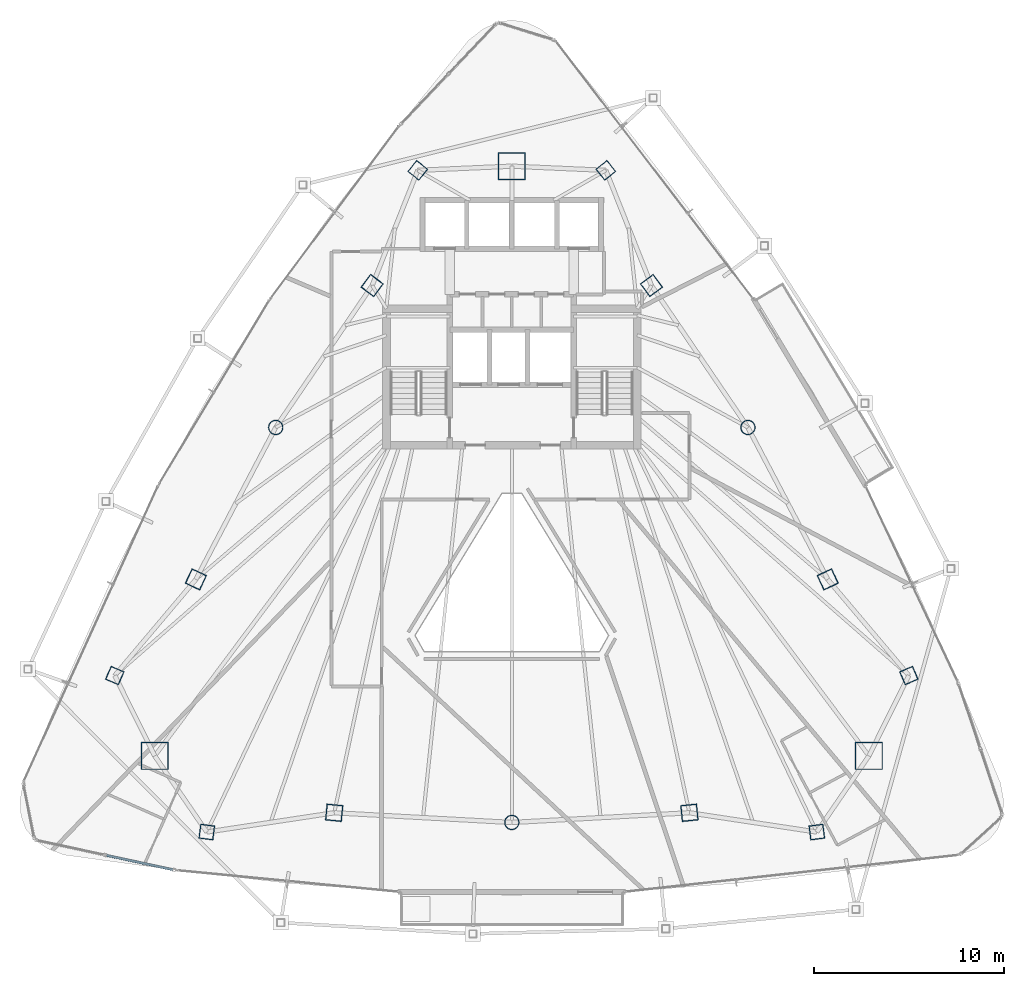
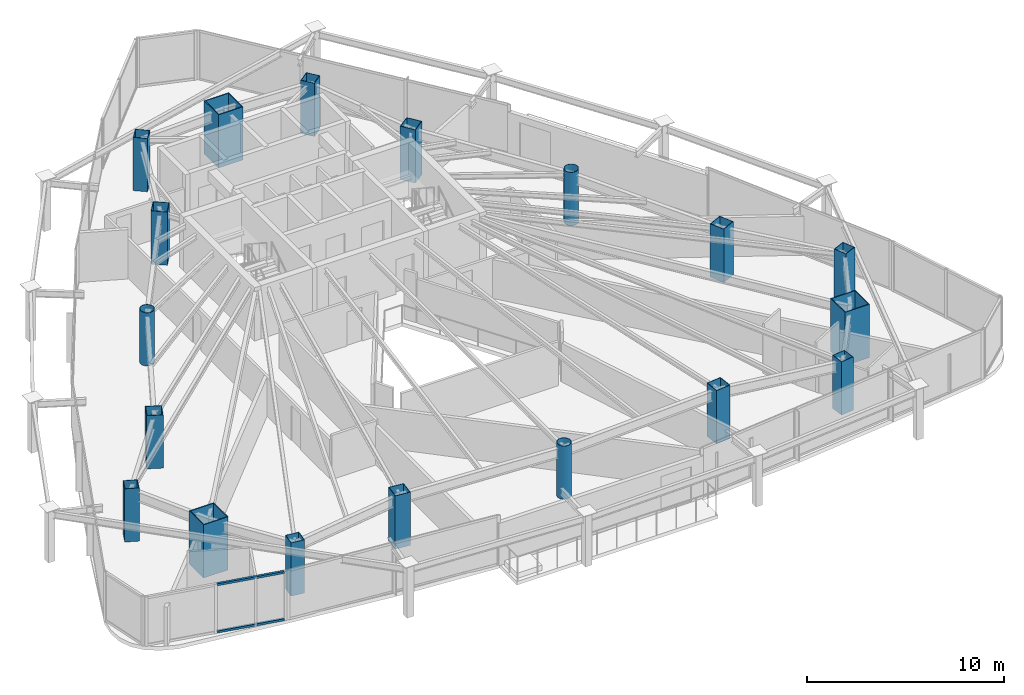
# One storey, part 1 of 31: 18 columns, 2 members, 1 element without a shape of its own.
"""IFC4 building model written with IfcOpenShell, lengths in metres."""

import ifcopenshell
import ifcopenshell.guid

model = None  # the IFC model being written
_history = None  # IfcOwnerHistory: only IFC2X3 demands one
_inside = {}  # id of a spatial element -> (the spatial element, [elements in it])
_under = {}  # id of a project, library or spatial element -> (it, [spatial elements below it])
_declared = {}  # id of a project -> (the project, [libraries it declares])
_typed = {}  # id of a type object -> (the type object, [elements of that type])
_made_of = {}  # id of a material, layer set ... -> (it, [elements and type objects made of it])


def new_model(schema):
    """Start an empty IFC model of exactly this schema.

    Asked for "IFC4X3", IfcOpenShell would pick the latest addendum, in which some entities
    have other attributes; the version numbers below select the first issue.
    IFC2X3 requires an IfcOwnerHistory on every rooted entity: one is made here for all.
    """
    global model, _history
    if schema == "IFC4X3":
        model = ifcopenshell.file(schema_version=(4, 3, 0, 0))
    else:
        model = ifcopenshell.file(schema=schema)
    _inside.clear()
    _under.clear()
    _declared.clear()
    _typed.clear()
    _made_of.clear()
    _history = None
    if model.schema == "IFC2X3":
        org = make("IfcOrganization", Name="unknown")
        user = make(
            "IfcPersonAndOrganization",
            ThePerson=make("IfcPerson", FamilyName="unknown"),
            TheOrganization=org,
        )
        app = make(
            "IfcApplication",
            ApplicationDeveloper=org,
            Version="unknown",
            ApplicationFullName="unknown",
            ApplicationIdentifier="unknown",
        )
        _history = make(
            "IfcOwnerHistory",
            OwningUser=user,
            OwningApplication=app,
            ChangeAction="ADDED",
            CreationDate=0,
        )
    return model


def make(cls, **values):
    """One entity of the class cls with the attributes given. An attribute that is None is left unset."""
    return model.create_entity(
        cls, **{name: value for name, value in values.items() if value is not None}
    )


def rooted(cls, **values):
    """An entity with a GlobalId (a new one), such as an element, a storey or a relation."""
    return make(cls, GlobalId=ifcopenshell.guid.new(), OwnerHistory=_history, **values)


def si_unit(unit_type, name, prefix=None):
    """IfcSIUnit, for example si_unit("LENGTHUNIT", "METRE", prefix="MILLI")."""
    return make("IfcSIUnit", UnitType=unit_type, Prefix=prefix, Name=name)


def assignment(units):
    """IfcUnitAssignment: the units of a project."""
    return None if units is None else make("IfcUnitAssignment", Units=units)


def point(xyz):
    """IfcCartesianPoint."""
    return None if xyz is None else make("IfcCartesianPoint", Coordinates=xyz)


def direction(xyz):
    """IfcDirection."""
    return None if xyz is None else make("IfcDirection", DirectionRatios=xyz)


def frame(location, z_axis=None, x_axis=None):
    """IfcAxis2Placement3D, a coordinate frame: its origin and axes. An axis left out is left unset."""
    return make(
        "IfcAxis2Placement3D",
        Location=point(location),
        Axis=direction(z_axis),
        RefDirection=direction(x_axis),
    )


def frame_2d(location, x_axis=None):
    """IfcAxis2Placement2D, a coordinate frame in the plane: its origin and x axis."""
    return make(
        "IfcAxis2Placement2D", Location=point(location), RefDirection=direction(x_axis)
    )


def origin():
    """The frame at (0, 0, 0) with its axes left unset."""
    return frame((0.0, 0.0, 0.0))


def origin_2d():
    """The frame at (0, 0) in the plane with its x axis left unset."""
    return frame_2d((0.0, 0.0))


def place(relative_to, where):
    """IfcLocalPlacement: puts the frame where relative to a parent placement (None: the world)."""
    return make(
        "IfcLocalPlacement", PlacementRelTo=relative_to, RelativePlacement=where
    )


def context(
    kind, dimensions, precision=None, world=None, true_north=None, identifier=None
):
    """IfcGeometricRepresentationContext, for example the 3D "Model" context."""
    return make(
        "IfcGeometricRepresentationContext",
        ContextIdentifier=identifier,
        ContextType=kind,
        CoordinateSpaceDimension=dimensions,
        Precision=precision,
        WorldCoordinateSystem=world,
        TrueNorth=true_north,
    )


def subcontext(parent, identifier, kind, view, scale=None):
    """IfcGeometricRepresentationSubContext, for example "Body" below "Model"."""
    return make(
        "IfcGeometricRepresentationSubContext",
        ContextIdentifier=identifier,
        ContextType=kind,
        ParentContext=parent,
        TargetScale=scale,
        TargetView=view,
    )


def project(units=None, contexts=None):
    """IfcProject with its units and contexts."""
    return rooted(
        "IfcProject",
        Name="project",
        RepresentationContexts=contexts,
        UnitsInContext=assignment(units),
    )


def spatial(cls, under=None, at=None, **own):
    """A site, building, storey or space (cls), placed at a placement, below another one or the project."""
    s = rooted(cls, ObjectPlacement=at, **own)
    if under is not None:
        _under.setdefault(under.id(), (under, []))[1].append(s)
    return s


def profile(cls, at=None, kind="AREA", **sizes):
    """A parametric profile (cls). Its sizes go by their IFC names, for example OverallWidth=200.0."""
    return make(cls, ProfileType=kind, Position=at, **sizes)


def hollow_rectangle(**sizes):
    """IfcRectangleHollowProfileDef."""
    return profile("IfcRectangleHollowProfileDef", **sizes)


def hollow_circle(**sizes):
    """IfcCircleHollowProfileDef."""
    return profile("IfcCircleHollowProfileDef", **sizes)


def extrude(swept, where, along, depth):
    """IfcExtrudedAreaSolid: the profile swept, set in the frame where, extruded along a direction by depth."""
    return make(
        "IfcExtrudedAreaSolid",
        SweptArea=swept,
        Position=where,
        ExtrudedDirection=direction(along),
        Depth=depth,
    )


def shape(context_of_items, identifier, shape_type, items):
    """IfcShapeRepresentation: the items that make up one representation, for example the "Body"."""
    return make(
        "IfcShapeRepresentation",
        ContextOfItems=context_of_items,
        RepresentationIdentifier=identifier,
        RepresentationType=shape_type,
        Items=items,
    )


def material(Name=None, Category=None):
    """IfcMaterial."""
    return make("IfcMaterial", Name=Name, Category=Category)


def layer(
    of_material, thickness, ventilated=None, Name=None, Category=None, Priority=None
):
    """IfcMaterialLayer: one layer of a wall or slab, of a material (None: an air gap)."""
    return make(
        "IfcMaterialLayer",
        Material=of_material,
        LayerThickness=thickness,
        IsVentilated=ventilated,
        Name=Name,
        Category=Category,
        Priority=Priority,
    )


def layer_set(layers, Name=None):
    """IfcMaterialLayerSet."""
    return make("IfcMaterialLayerSet", MaterialLayers=layers, LayerSetName=Name)


def material_profile(
    of_material, cross_section, Name=None, Category=None, Priority=None
):
    """IfcMaterialProfile: a cross section and its material."""
    return make(
        "IfcMaterialProfile",
        Name=Name,
        Material=of_material,
        Profile=cross_section,
        Priority=Priority,
        Category=Category,
    )


def profile_set(profiles, Name=None, composite=None):
    """IfcMaterialProfileSet."""
    return make(
        "IfcMaterialProfileSet",
        Name=Name,
        MaterialProfiles=profiles,
        CompositeProfile=composite,
    )


def made_of(thing, what):
    """Note that an element or type object is made of a material, layer set ...; save() writes the relation."""
    if what is not None:
        _made_of.setdefault(what.id(), (what, []))[1].append(thing)
    return thing


def type_object(cls, material=None, **own):
    """A type object (cls), such as IfcWallType, which elements share."""
    return made_of(rooted(cls, **own), material)


def element(
    cls,
    number,
    at=None,
    inside=None,
    cuts=None,
    type_object=None,
    material=None,
    context=None,
    identifier="Body",
    shape_type=None,
    held_by="IfcProductDefinitionShape",
    body=None,
    shapes=None,
    **own,
):
    """One element of the class cls, such as IfcWall. Its Tag is "e" and its number.

    at: its placement. inside: the storey or other place that contains it. cuts: it is an
    opening in that element (IfcRelVoidsElement). A single representation is given by context,
    identifier, shape_type and body (its items); several are given by shapes. held_by: the class
    of the entity that holds the representations. save() writes the other relations.
    """
    e = rooted(cls, Tag="e%d" % number, ObjectPlacement=at, **own)
    if body is not None:
        shapes = [shape(context, identifier, shape_type, body)]
    if shapes is not None:
        e.Representation = make(held_by, Representations=shapes)
    if inside is not None:
        _inside.setdefault(inside.id(), (inside, []))[1].append(e)
    if cuts is not None:
        rooted(
            "IfcRelVoidsElement", RelatingBuildingElement=cuts, RelatedOpeningElement=e
        )
    if type_object is not None:
        _typed.setdefault(type_object.id(), (type_object, []))[1].append(e)
    return made_of(e, material)


def aggregate(whole, parts):
    """IfcRelAggregates: a whole, such as a stair, and the parts it consists of."""
    return rooted("IfcRelAggregates", RelatingObject=whole, RelatedObjects=parts)


def save(model, path):
    """Write the relations noted so far, then the file.

    IfcRelAggregates (storeys below a building ...), IfcRelContainedInSpatialStructure (elements
    in a storey), IfcRelDefinesByType, IfcRelAssociatesMaterial and IfcRelDeclares: one each for
    every whole, place, type object, material and project.
    """
    for whole, parts in _under.values():
        aggregate(whole, parts)
    for where, things in _inside.values():
        rooted(
            "IfcRelContainedInSpatialStructure",
            RelatedElements=things,
            RelatingStructure=where,
        )
    for kind, things in _typed.values():
        rooted("IfcRelDefinesByType", RelatedObjects=things, RelatingType=kind)
    for what, things in _made_of.values():
        rooted("IfcRelAssociatesMaterial", RelatedObjects=things, RelatingMaterial=what)
    for by, libraries in _declared.values():
        rooted("IfcRelDeclares", RelatingContext=by, RelatedDefinitions=libraries)
    model.write(path)


model = new_model("IFC4")

# Units and contexts
model_context = context("Model", 3, precision=1e-05, world=origin(), true_north=direction((0.0, 1.0)))
body_context = subcontext(model_context, "Body", "Model", "MODEL_VIEW")
ifc_project = project(units=[si_unit("LENGTHUNIT", "METRE"), si_unit("AREAUNIT", "SQUARE_METRE"), si_unit("VOLUMEUNIT", "CUBIC_METRE"), si_unit("PLANEANGLEUNIT", "RADIAN"), si_unit("MASSUNIT", "GRAM", prefix="KILO")], contexts=[model_context])

# Site, building, storey
site_placement = place(None, origin())
site = spatial("IfcSite", under=ifc_project, at=site_placement, CompositionType="ELEMENT")
building_placement = place(site_placement, origin())
building = spatial("IfcBuilding", under=site, at=building_placement, Name="Orvanel Arch Residences", CompositionType="ELEMENT")
storey_placement = place(building_placement, frame((0.0, 0.0, 133.10009765625)))
storey = spatial("IfcBuildingStorey", under=building, at=storey_placement, Name="L37", CompositionType="ELEMENT", Elevation=133.10009765625)

# Columns
ifc_material_1 = material(Name="Structural steel AS/NZS 1163 C450L0 (Grade 450)", Category="steel")
ifc_material_profile_1 = material_profile(ifc_material_1, hollow_circle(Radius=0.381103515625, WallThickness=0.02197265625, at=origin_2d()), Name="CHS762x22")
ifc_profile_set_1 = profile_set([ifc_material_profile_1], Name="Structural steel AS/NZS 1163 C450L0 (Grade 450)")
column_type_1 = type_object("IfcColumnType", Name="CC-762", PredefinedType="COLUMN", material=ifc_profile_set_1)
for number, where, z_axis, x_axis, name in (
    (1, (20.569091796875, 27.64111328125, 0.0), (0.0, 0.0, 1.0), (1.0, 0.0, 0.0), "L37 High-Rise Tube Column 02"),
    (2, (33.0, 6.843994140625, 0.0), (0.0, 0.0, 1.0), (1.0, 0.0, 0.0), "L37 High-Rise Tube Column 05"),
    (3, (45.430908203125, 27.64111328125, 0.0), (0.0, 0.0, 1.0), (1.0, 0.0, 0.0), "L37 High-Rise Tube Column 08"),
):
    element("IfcColumn", number, at=place(storey_placement, frame(where, z_axis=z_axis, x_axis=x_axis)), inside=storey, type_object=column_type_1, Name=name, PredefinedType="COLUMN", context=body_context, shape_type="SweptSolid", body=[
        extrude(hollow_circle(Radius=0.381103515625, WallThickness=0.02197265625, at=origin_2d()), origin(), (0.0, 0.0, 1.0), 3.2998046875),
    ])
ifc_material_2 = material(Name="Structural steel AS/NZS 3678 Grade 450", Category="steel")
ifc_material_profile_2 = material_profile(ifc_material_2, hollow_rectangle(XDim=1.449951171875, YDim=1.449951171875, WallThickness=0.044921875, at=origin_2d()), Name="BOX1450x1450x45")
ifc_profile_set_2 = profile_set([ifc_material_profile_2], Name="Structural steel AS/NZS 3678 Grade 450")
column_type_2 = type_object("IfcColumnType", Name="MC-1450", PredefinedType="COLUMN", material=ifc_profile_set_2)
for number, where, z_axis, x_axis, name in (
    (4, (33.0, 41.39794921875, 0.0), (0.0, 0.0, 1.0), (1.0, 0.0, 0.0), "L37 Corner Mega-Column 1"),
    (5, (14.198974609375, 10.35107421875, 0.0), (0.0, 0.0, 1.0), (1.0, 0.0, 0.0), "L37 Corner Mega-Column 2"),
    (6, (51.801025390625, 10.35107421875, 0.0), (0.0, 0.0, 1.0), (1.0, 0.0, 0.0), "L37 Corner Mega-Column 3"),
):
    element("IfcColumn", number, at=place(storey_placement, frame(where, z_axis=z_axis, x_axis=x_axis)), inside=storey, type_object=column_type_2, Name=name, PredefinedType="COLUMN", context=body_context, shape_type="SweptSolid", body=[
        extrude(hollow_rectangle(XDim=1.449951171875, YDim=1.449951171875, WallThickness=0.044921875, at=origin_2d()), origin(), (0.0, 0.0, 1.0), 3.2998046875),
    ])
ifc_material_3 = material(Name="Structural steel AS/NZS 3678 Grade 350", Category="steel")
ifc_material_profile_3 = material_profile(ifc_material_3, hollow_rectangle(XDim=0.75, YDim=0.75, WallThickness=0.02490234375, at=origin_2d()), Name="BOX750x750x25")
ifc_profile_set_3 = profile_set([ifc_material_profile_3], Name="Structural steel AS/NZS 3678 Grade 350")
column_type_3 = type_object("IfcColumnType", Name="TC-750", PredefinedType="COLUMN", material=ifc_profile_set_3)
for number, where, z_axis, x_axis, name in (
    (7, (28.050048828125, 41.177978515625, 0.0), (0.0, 0.0, 1.0), (0.623879596709, 0.781520472419, 0.0), "L37 Mid-Rise Buttress Tube Column 01"),
    (8, (12.094970703125, 14.580078125, 0.0), (0.0, 0.0, 1.0), (0.397147890635, 0.917754625684, 0.0), "L37 Mid-Rise Buttress Tube Column 02"),
    (9, (16.94091796875, 6.339111328125, 0.0), (0.0, 0.0, 1.0), (-0.99189444259, 0.127064608601, 0.0), "L37 Mid-Rise Buttress Tube Column 03"),
    (10, (49.05908203125, 6.339111328125, 0.0), (0.0, 0.0, 1.0), (0.99189444259, 0.127064608601, 0.0), "L37 Mid-Rise Buttress Tube Column 04"),
    (11, (53.905029296875, 14.580078125, 0.0), (0.0, 0.0, 1.0), (-0.397147890635, 0.917754625684, 0.0), "L37 Mid-Rise Buttress Tube Column 05"),
    (12, (37.949951171875, 41.177978515625, 0.0), (0.0, 0.0, 1.0), (-0.623879596709, 0.781520472419, 0.0), "L37 Mid-Rise Buttress Tube Column 06"),
):
    element("IfcColumn", number, at=place(storey_placement, frame(where, z_axis=z_axis, x_axis=x_axis)), inside=storey, type_object=column_type_3, Name=name, PredefinedType="COLUMN", context=body_context, shape_type="SweptSolid", body=[
        extrude(hollow_rectangle(XDim=0.75, YDim=0.75, WallThickness=0.02490234375, at=origin_2d()), origin(), (0.0, 0.0, 1.0), 3.2998046875),
    ])
ifc_material_profile_4 = material_profile(ifc_material_3, hollow_rectangle(XDim=0.85009765625, YDim=0.85009765625, WallThickness=0.028076171875, at=origin_2d()), Name="BOX850x850x28")
ifc_profile_set_4 = profile_set([ifc_material_profile_4], Name="Structural steel AS/NZS 3678 Grade 350")
column_type_4 = type_object("IfcColumnType", Name="TC-850", PredefinedType="COLUMN", material=ifc_profile_set_4)
for number, where, z_axis, x_axis, name in (
    (13, (25.64794921875, 35.113037109375, 0.0), (0.0, 0.0, 1.0), (0.600420225326, 0.799684658487, 0.0), "L37 High-Rise Tube Column 01"),
    (14, (16.366943359375, 19.64208984375, 0.0), (0.0, 0.0, 1.0), (0.422618261741, 0.906307787037, 0.0), "L37 High-Rise Tube Column 03"),
    (15, (23.64892578125, 7.35498046875, 0.0), (0.0, 0.0, 1.0), (-0.994880708829, 0.101056297183, 0.0), "L37 High-Rise Tube Column 04"),
    (16, (42.35107421875, 7.35498046875, 0.0), (0.0, 0.0, 1.0), (0.994880708829, 0.101056297183, 0.0), "L37 High-Rise Tube Column 06"),
    (17, (49.633056640625, 19.64208984375, 0.0), (0.0, 0.0, 1.0), (-0.422618261741, 0.906307787037, 0.0), "L37 High-Rise Tube Column 07"),
    (18, (40.35205078125, 35.113037109375, 0.0), (0.0, 0.0, 1.0), (-0.600420225326, 0.799684658487, 0.0), "L37 High-Rise Tube Column 09"),
):
    element("IfcColumn", number, at=place(storey_placement, frame(where, z_axis=z_axis, x_axis=x_axis)), inside=storey, type_object=column_type_4, Name=name, PredefinedType="COLUMN", context=body_context, shape_type="SweptSolid", body=[
        extrude(hollow_rectangle(XDim=0.85009765625, YDim=0.85009765625, WallThickness=0.028076171875, at=origin_2d()), origin(), (0.0, 0.0, 1.0), 3.2998046875),
    ])

# Curtain wall, members
ifc_material_4 = material(Name="Bronze-anodised aluminium AA6063-T6", Category="aluminium")
ifc_layer = layer(ifc_material_4, 0.18994140625)
ifc_layer_set = layer_set([ifc_layer], Name="Bronze-anodised aluminium AA6063-T6")
curtain_wall_type = type_object("IfcCurtainWallType", Name="CW5-CRN-SYS", PredefinedType="NOTDEFINED", material=ifc_layer_set)
curtain_wall_placement = place(storey_placement, origin())
curtain_wall = element("IfcCurtainWall", 19, at=curtain_wall_placement, inside=storey, type_object=curtain_wall_type, Name="L37 CW5-CRN-SYS Unitised Curtain Wall", PredefinedType="NOTDEFINED")
ifc_material_profile_5 = material_profile(ifc_material_4, hollow_rectangle(XDim=0.1298828125, YDim=0.1298828125, WallThickness=0.00439453125, at=origin_2d()), Name="ALU130x130x4.5")
ifc_profile_set_5 = profile_set([ifc_material_profile_5], Name="Bronze-anodised aluminium AA6063-T6")
member_type = type_object("IfcMemberType", Name="TRN-130x130", PredefinedType="USERDEFINED", material=ifc_profile_set_5)
member_1_placement = place(storey_placement, frame((11.665771484375, 5.1123046875, 0.06494140625), z_axis=(0.977614530448, -0.210403968253, 0.0), x_axis=(0.210403968253, 0.977614530448, 0.0)))
member_1 = element("IfcMember", 20, at=member_1_placement, type_object=member_type, Name="CW-S5 transom 2.1", ObjectType="TRANSOM", PredefinedType="USERDEFINED", context=body_context, shape_type="SweptSolid", body=[
    extrude(hollow_rectangle(XDim=0.1298828125, YDim=0.1298828125, WallThickness=0.00439453125, at=origin_2d()), origin(), (0.0, 0.0, 1.0), 3.5634765625),
])
member_2_placement = place(storey_placement, frame((11.665771484375, 5.1123046875, 2.994873046875), z_axis=(0.977614530448, -0.210403968253, 0.0), x_axis=(0.210403968253, 0.977614530448, 0.0)))
member_2 = element("IfcMember", 21, at=member_2_placement, type_object=member_type, Name="CW-S5 transom 2.2", ObjectType="TRANSOM", PredefinedType="USERDEFINED", context=body_context, shape_type="SweptSolid", body=[
    extrude(hollow_rectangle(XDim=0.1298828125, YDim=0.1298828125, WallThickness=0.00439453125, at=origin_2d()), origin(), (0.0, 0.0, 1.0), 3.5634765625),
])
aggregate(curtain_wall, [member_1, member_2])

save(model, "model.ifc")
